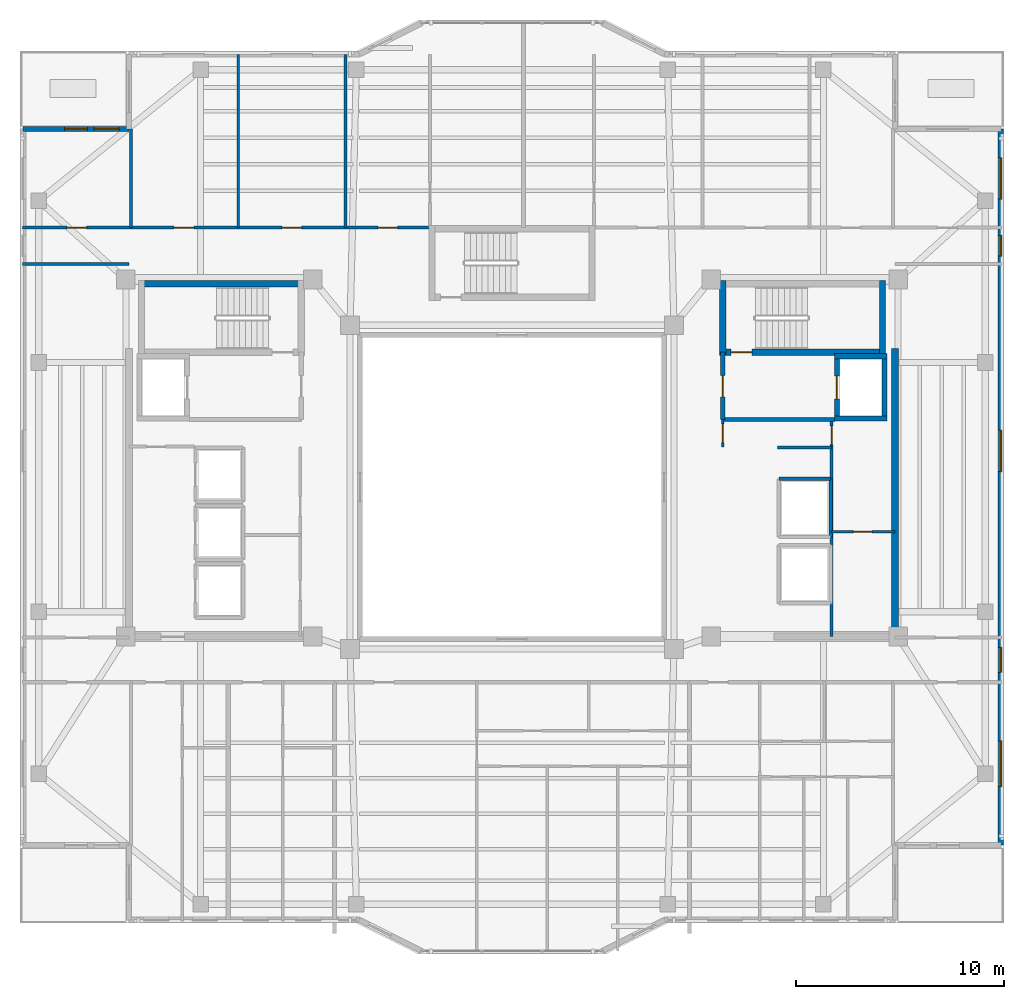
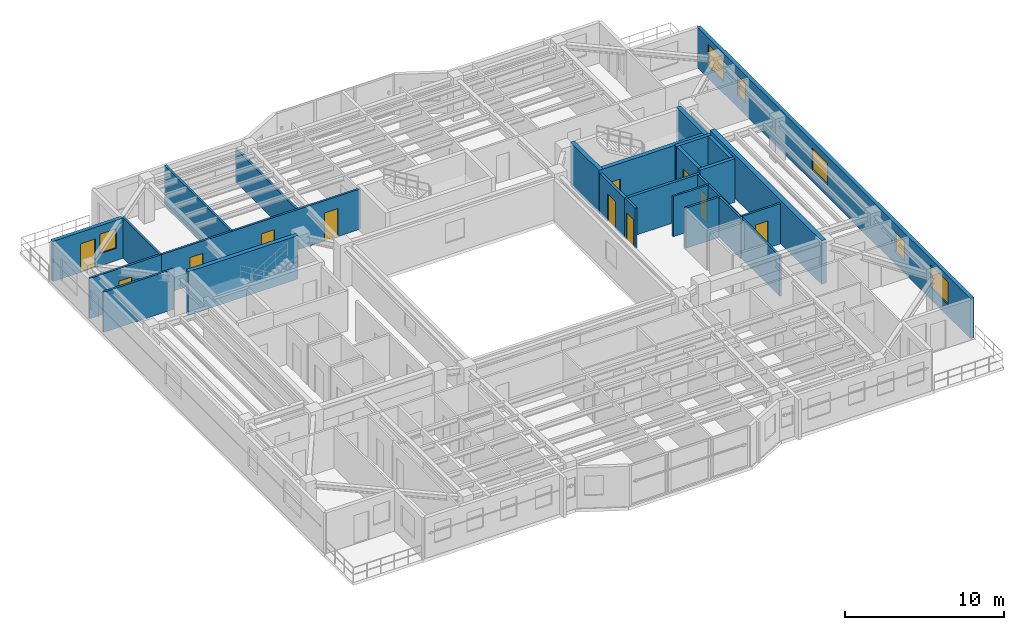
# One storey, part 9 of 15: 25 walls, 11 doors, 6 windows, 17 openings.
"""IFC4 building model written with IfcOpenShell, lengths in metres."""

from ifc_helpers import new_model, si_unit, direction, frame, frame_2d, origin, place, context, subcontext, project, spatial, rectangle, extrude, material, layer, layer_set, type_object, element, fill, save


model = new_model("IFC4")

# Units and contexts
model_context = context("Model", 3, precision=1e-05, world=origin(), true_north=direction((0.0, 1.0)))
body_context = subcontext(model_context, "Body", "Model", "MODEL_VIEW")
ifc_project = project(units=[si_unit("LENGTHUNIT", "METRE"), si_unit("AREAUNIT", "SQUARE_METRE"), si_unit("VOLUMEUNIT", "CUBIC_METRE"), si_unit("PLANEANGLEUNIT", "RADIAN"), si_unit("MASSUNIT", "GRAM", prefix="KILO")], contexts=[model_context])

# Site, building, storey
site_placement = place(None, origin())
site = spatial("IfcSite", under=ifc_project, at=site_placement, CompositionType="ELEMENT")
building_placement = place(site_placement, origin())
building = spatial("IfcBuilding", under=site, at=building_placement, Name="Tarnavaz Court Tower", CompositionType="ELEMENT")
storey_placement = place(building_placement, frame((0.0, 0.0, 186.89990234375)))
storey = spatial("IfcBuildingStorey", under=building, at=storey_placement, Name="L50", CompositionType="ELEMENT", Elevation=186.89990234375)

# Wall, opening, door
ifc_material_1 = material(Name="Concrete C50/60", Category="concrete")
ifc_layer_1 = layer(ifc_material_1, 0.25)
ifc_layer_set_1 = layer_set([ifc_layer_1], Name="Concrete C50/60")
wall_type_1 = type_object("IfcWallType", Name="WL-CORE-250-C50", PredefinedType="SHEAR", material=ifc_layer_set_1)
wall_1_placement = place(storey_placement, frame((15.64990234375, 3.175048828125, 0.0), z_axis=(0.0, 0.0, 1.0), x_axis=(0.0, 1.0, 0.0)))
wall_1 = element("IfcWall", 1, at=wall_1_placement, inside=storey, type_object=wall_type_1, Name="L50 Lift FL-E1 Shaft Wall 033", PredefinedType="SHEAR", context=body_context, shape_type="SweptSolid", body=[
    extrude(rectangle(XDim=3.25, YDim=0.25, at=frame_2d((1.625, 0.0))), origin(), (0.0, 0.0, 1.0), 3.35009765625),
])
opening_1_placement = place(wall_1_placement, frame((1.074951171875, 0.0, 0.0)))
opening_1 = element("IfcOpeningElement", 2, at=opening_1_placement, cuts=wall_1, Name="Opening LD1", PredefinedType="OPENING", context=body_context, shape_type="SweptSolid", body=[
    extrude(rectangle(XDim=1.10009765625, YDim=2.14990234375, at=frame_2d((0.550048828125, 1.074951171875))), frame((0.0, 0.135009765625, 0.0), z_axis=(0.0, -1.0, 0.0), x_axis=(1.0, 0.0, 0.0)), (0.0, 0.0, 1.0), 0.27001953125),
])
ifc_material_2 = material(Name="Stainless Steel", Category="steel")
door_type_1 = type_object("IfcDoorType", Name="DR-LD-1100", OperationType="NOTDEFINED", PredefinedType="DOOR", material=ifc_material_2)
door_1_placement = place(opening_1_placement, origin())
door_1 = element("IfcDoor", 3, at=door_1_placement, inside=storey, type_object=door_type_1, Name="L50 Lift Landing Door LD-FL-E1", OperationType="SLIDING_TO_LEFT", OverallHeight=2.14990234375, OverallWidth=1.10009765625, PredefinedType="DOOR", context=body_context, shape_type="SweptSolid", body=[
    extrude(rectangle(XDim=1.10009765625, YDim=2.14990234375, at=frame_2d((0.550048828125, 1.074951171875))), frame((0.0, 0.02490234375, 0.0), z_axis=(0.0, -1.0, 0.0), x_axis=(1.0, 0.0, 0.0)), (0.0, 0.0, 1.0), 0.050048828125),
])
fill(opening_1, door_1)

# Walls
wall_2_placement = place(storey_placement, frame((17.949951171875, 3.175048828125, 0.0), z_axis=(0.0, 0.0, 1.0), x_axis=(0.0, 1.0, 0.0)))
element("IfcWall", 4, at=wall_2_placement, inside=storey, type_object=wall_type_1, Name="L50 Lift FL-E1 Shaft Wall 034", PredefinedType="SHEAR", context=body_context, shape_type="SweptSolid", body=[
    extrude(rectangle(XDim=3.25, YDim=0.25, at=frame_2d((1.625, 0.0))), origin(), (0.0, 0.0, 1.0), 3.35009765625),
])
for number, where, z_axis, x_axis, name in (
    (5, (15.52490234375, 3.300048828125, 0.0), (0.0, 0.0, 1.0), (1.0, 0.0, 0.0), "L50 Lift FL-E1 Shaft Wall 035"),
    (6, (15.52490234375, 6.300048828125, 0.0), (0.0, 0.0, 1.0), (1.0, 0.0, 0.0), "L50 Lift FL-E1 Shaft Wall 036"),
):
    element("IfcWall", number, at=place(storey_placement, frame(where, z_axis=z_axis, x_axis=x_axis)), inside=storey, type_object=wall_type_1, Name=name, PredefinedType="SHEAR", context=body_context, shape_type="SweptSolid", body=[
        extrude(rectangle(XDim=2.550048828125, YDim=0.25, at=frame_2d((1.27490234375, 0.0))), origin(), (0.0, 0.0, 1.0), 3.35009765625),
    ])
ifc_layer_2 = layer(ifc_material_1, 0.300048828125)
ifc_layer_set_2 = layer_set([ifc_layer_2], Name="Concrete C50/60")
wall_type_2 = type_object("IfcWallType", Name="WL-CORE-300-C50", PredefinedType="SHEAR", material=ifc_layer_set_2)
wall_3_placement = place(storey_placement, frame((-18.0, 9.7900390625, 0.0), z_axis=(0.0, 0.0, 1.0), x_axis=(1.0, 0.0, 0.0)))
element("IfcWall", 7, at=wall_3_placement, inside=storey, type_object=wall_type_2, Name="L50 West Stair Core Wall 001", PredefinedType="SHEAR", context=body_context, shape_type="SweptSolid", body=[
    extrude(rectangle(XDim=8.0, YDim=0.300048828125, at=frame_2d((4.0, 0.0))), origin(), (0.0, 0.0, 1.0), 3.35009765625),
])

# Wall, opening, door
wall_4_placement = place(storey_placement, frame((10.0, 6.5, 0.0), z_axis=(0.0, 0.0, 1.0), x_axis=(1.0, 0.0, 0.0)))
wall_4 = element("IfcWall", 8, at=wall_4_placement, inside=storey, type_object=wall_type_2, Name="L50 East Stair Core Wall 006", PredefinedType="SHEAR", context=body_context, shape_type="SweptSolid", body=[
    extrude(rectangle(XDim=8.0, YDim=0.300048828125, at=frame_2d((4.0, 0.0))), origin(), (0.0, 0.0, 1.0), 3.35009765625),
])
opening_2_placement = place(wall_4_placement, frame((0.550048828125, 0.0, 0.0)))
opening_2 = element("IfcOpeningElement", 9, at=opening_2_placement, cuts=wall_4, Name="Opening D01", PredefinedType="OPENING", context=body_context, shape_type="SweptSolid", body=[
    extrude(rectangle(XDim=1.0, YDim=2.14990234375, at=frame_2d((0.5, 1.074951171875))), frame((0.0, 0.159912109375, 0.0), z_axis=(0.0, -1.0, 0.0), x_axis=(1.0, 0.0, 0.0)), (0.0, 0.0, 1.0), 0.320068359375),
])
ifc_material_3 = material(Name="Fire-Rated Hardwood Timber Core", Category="wood")
door_type_2 = type_object("IfcDoorType", Name="DR-FD90-1000", OperationType="NOTDEFINED", PredefinedType="DOOR", material=ifc_material_3)
door_2_placement = place(opening_2_placement, origin())
door_2 = element("IfcDoor", 10, at=door_2_placement, inside=storey, type_object=door_type_2, Name="L50 Stair ST-E1 Exit Door", OperationType="SINGLE_SWING_RIGHT", OverallHeight=2.14990234375, OverallWidth=1.0, PredefinedType="DOOR", context=body_context, shape_type="SweptSolid", body=[
    extrude(rectangle(XDim=1.0, YDim=2.14990234375, at=frame_2d((0.5, 1.074951171875))), frame((0.0, 0.02490234375, 0.0), z_axis=(0.0, -1.0, 0.0), x_axis=(1.0, 0.0, 0.0)), (0.0, 0.0, 1.0), 0.050048828125),
])
fill(opening_2, door_2)

# Walls
for number, where, z_axis, x_axis, name in (
    (11, (10.14990234375, 6.35009765625, 0.0), (0.0, 0.0, 1.0), (0.0, 1.0, 0.0), "L50 East Stair Core Wall 007"),
    (12, (17.85009765625, 6.35009765625, 0.0), (0.0, 0.0, 1.0), (0.0, 1.0, 0.0), "L50 East Stair Core Wall 008"),
):
    element("IfcWall", number, at=place(storey_placement, frame(where, z_axis=z_axis, x_axis=x_axis)), inside=storey, type_object=wall_type_2, Name=name, PredefinedType="SHEAR", context=body_context, shape_type="SweptSolid", body=[
        extrude(rectangle(XDim=3.58984375, YDim=0.300048828125, at=frame_2d((1.794921875, 0.0))), origin(), (0.0, 0.0, 1.0), 3.35009765625),
    ])
ifc_layer_3 = layer(ifc_material_1, 0.35009765625)
ifc_layer_set_3 = layer_set([ifc_layer_3], Name="Concrete C50/60")
wall_type_3 = type_object("IfcWallType", Name="WL-CORE-350-C50", PredefinedType="SHEAR", material=ifc_layer_set_3)
wall_5_placement = place(storey_placement, frame((18.449951171875, -7.375, 0.0), z_axis=(0.0, 0.0, 1.0), x_axis=(0.0, 1.0, 0.0)))
element("IfcWall", 13, at=wall_5_placement, inside=storey, type_object=wall_type_3, Name="L50 East Core Shear Wall 047", PredefinedType="SHEAR", context=body_context, shape_type="SweptSolid", body=[
    extrude(rectangle(XDim=14.050048828125, YDim=0.35009765625, at=frame_2d((7.02490234375, 0.0))), origin(), (0.0, 0.0, 1.0), 3.35009765625),
])

# Wall, openings, door, window
ifc_material_4 = material(Name="Precast Concrete C40/50", Category="concrete")
ifc_layer_4 = layer(ifc_material_4, 0.260009765625)
ifc_layer_set_4 = layer_set([ifc_layer_4], Name="Precast Concrete C40/50")
wall_type_4 = type_object("IfcWallType", Name="WL-EXT-260", PredefinedType="SOLIDWALL", material=ifc_layer_set_4)
wall_6_placement = place(storey_placement, frame((-23.550048828125, 17.25, 0.0), z_axis=(0.0, 0.0, 1.0), x_axis=(1.0, 0.0, 0.0)))
wall_6 = element("IfcWall", 14, at=wall_6_placement, inside=storey, type_object=wall_type_4, Name="L50 Exterior Terracotta Facade Wall 03", PredefinedType="SOLIDWALL", context=body_context, shape_type="SweptSolid", body=[
    extrude(rectangle(XDim=5.10009765625, YDim=0.260009765625, at=frame_2d((2.550048828125, 0.0))), origin(), (0.0, 0.0, 1.0), 3.10009765625),
])
opening_3_placement = place(wall_6_placement, frame((2.0, 0.0, 0.0)))
opening_3 = element("IfcOpeningElement", 15, at=opening_3_placement, cuts=wall_6, Name="Opening TD1", PredefinedType="OPENING", context=body_context, shape_type="SweptSolid", body=[
    extrude(rectangle(XDim=1.10009765625, YDim=2.199951171875, at=frame_2d((0.550048828125, 1.10009765625))), frame((0.0, 0.139892578125, 0.0), z_axis=(0.0, -1.0, 0.0), x_axis=(1.0, 0.0, 0.0)), (0.0, 0.0, 1.0), 0.280029296875),
])
opening_4_placement = place(wall_6_placement, frame((3.419921875, 0.0, 0.949951171875)))
opening_4 = element("IfcOpeningElement", 16, at=opening_4_placement, cuts=wall_6, Name="Opening W05", PredefinedType="OPENING", context=body_context, shape_type="SweptSolid", body=[
    extrude(rectangle(XDim=1.199951171875, YDim=1.5, at=frame_2d((0.60009765625, 0.75))), frame((0.0, 0.139892578125, 0.0), z_axis=(0.0, -1.0, 0.0), x_axis=(1.0, 0.0, 0.0)), (0.0, 0.0, 1.0), 0.280029296875),
])
ifc_material_5 = material(Name="Thermally Broken Aluminium and Laminated Glass", Category="aluminium")
door_type_3 = type_object("IfcDoorType", Name="DR-TERR-1100", OperationType="NOTDEFINED", PredefinedType="DOOR", material=ifc_material_5)
door_3_placement = place(opening_3_placement, origin())
door_3 = element("IfcDoor", 17, at=door_3_placement, inside=storey, type_object=door_type_3, Name="L50 Sky Terrace Access Door 2", OperationType="SINGLE_SWING_RIGHT", OverallHeight=2.199951171875, OverallWidth=1.10009765625, PredefinedType="DOOR", context=body_context, shape_type="SweptSolid", body=[
    extrude(rectangle(XDim=1.10009765625, YDim=2.199951171875, at=frame_2d((0.550048828125, 1.10009765625))), frame((0.0, 0.02490234375, 0.0), z_axis=(0.0, -1.0, 0.0), x_axis=(1.0, 0.0, 0.0)), (0.0, 0.0, 1.0), 0.050048828125),
])
fill(opening_3, door_3)
ifc_material_6 = material(Name="Double-Glazed Solar Low-E Glass", Category="glass")
window_type_1 = type_object("IfcWindowType", Name="WN-APT-1200", PartitioningType="SINGLE_PANEL", PredefinedType="WINDOW", material=ifc_material_6)
window_1_placement = place(opening_4_placement, origin())
window_1 = element("IfcWindow", 18, at=window_1_placement, inside=storey, type_object=window_type_1, Name="L50 North-West Corner Sunroom Study Window", OverallHeight=1.5, OverallWidth=1.199951171875, PartitioningType="SINGLE_PANEL", PredefinedType="WINDOW", context=body_context, shape_type="SweptSolid", body=[
    extrude(rectangle(XDim=1.199951171875, YDim=1.5, at=frame_2d((0.60009765625, 0.75))), frame((0.0, 0.030029296875, 0.0), z_axis=(0.0, -1.0, 0.0), x_axis=(1.0, 0.0, 0.0)), (0.0, 0.0, 1.0), 0.06005859375),
])
fill(opening_4, window_1)

# Wall, openings, windows
wall_7_placement = place(storey_placement, frame((23.550048828125, 17.25, 0.0), z_axis=(0.0, 0.0, 1.0), x_axis=(0.0, -1.0, 0.0)))
wall_7 = element("IfcWall", 19, at=wall_7_placement, inside=storey, type_object=wall_type_4, Name="L50 Exterior Terracotta Facade Wall 12", PredefinedType="SOLIDWALL", context=body_context, shape_type="SweptSolid", body=[
    extrude(rectangle(XDim=34.5, YDim=0.260009765625, at=frame_2d((17.25, 0.0))), origin(), (0.0, 0.0, 1.0), 3.10009765625),
])
opening_5_placement = place(wall_7_placement, frame((1.375, 0.0, 0.89990234375)))
opening_5 = element("IfcOpeningElement", 20, at=opening_5_placement, cuts=wall_7, Name="Opening W08", PredefinedType="OPENING", context=body_context, shape_type="SweptSolid", body=[
    extrude(rectangle(XDim=2.0, YDim=1.699951171875, at=frame_2d((1.0, 0.85009765625))), frame((0.0, 0.139892578125, 0.0), z_axis=(0.0, -1.0, 0.0), x_axis=(1.0, 0.0, 0.0)), (0.0, 0.0, 1.0), 0.280029296875),
])
opening_6_placement = place(wall_7_placement, frame((5.125, 0.0, 0.949951171875)))
opening_6 = element("IfcOpeningElement", 21, at=opening_6_placement, cuts=wall_7, Name="Opening W14", PredefinedType="OPENING", context=body_context, shape_type="SweptSolid", body=[
    extrude(rectangle(XDim=1.0, YDim=1.5, at=frame_2d((0.5, 0.75))), frame((0.0, 0.139892578125, 0.0), z_axis=(0.0, -1.0, 0.0), x_axis=(1.0, 0.0, 0.0)), (0.0, 0.0, 1.0), 0.280029296875),
])
opening_7_placement = place(wall_7_placement, frame((14.5, 0.0, 0.89990234375)))
opening_7 = element("IfcOpeningElement", 22, at=opening_7_placement, cuts=wall_7, Name="Opening W08", PredefinedType="OPENING", context=body_context, shape_type="SweptSolid", body=[
    extrude(rectangle(XDim=2.0, YDim=1.699951171875, at=frame_2d((1.0, 0.85009765625))), frame((0.0, 0.139892578125, 0.0), z_axis=(0.0, -1.0, 0.0), x_axis=(1.0, 0.0, 0.0)), (0.0, 0.0, 1.0), 0.280029296875),
])
opening_8_placement = place(wall_7_placement, frame((24.97509765625, 0.0, 0.949951171875)))
opening_8 = element("IfcOpeningElement", 23, at=opening_8_placement, cuts=wall_7, Name="Opening W05", PredefinedType="OPENING", context=body_context, shape_type="SweptSolid", body=[
    extrude(rectangle(XDim=1.199951171875, YDim=1.5, at=frame_2d((0.60009765625, 0.75))), frame((0.0, 0.139892578125, 0.0), z_axis=(0.0, -1.0, 0.0), x_axis=(1.0, 0.0, 0.0)), (0.0, 0.0, 1.0), 0.280029296875),
])
opening_9_placement = place(wall_7_placement, frame((29.47509765625, 0.0, 0.89990234375)))
opening_9 = element("IfcOpeningElement", 24, at=opening_9_placement, cuts=wall_7, Name="Opening W07", PredefinedType="OPENING", context=body_context, shape_type="SweptSolid", body=[
    extrude(rectangle(XDim=2.199951171875, YDim=1.75, at=frame_2d((1.10009765625, 0.875))), frame((0.0, 0.139892578125, 0.0), z_axis=(0.0, -1.0, 0.0), x_axis=(1.0, 0.0, 0.0)), (0.0, 0.0, 1.0), 0.280029296875),
])
window_type_2 = type_object("IfcWindowType", Name="WN-APT-1000", PartitioningType="SINGLE_PANEL", PredefinedType="WINDOW", material=ifc_material_6)
window_2_placement = place(opening_6_placement, origin())
window_2 = element("IfcWindow", 25, at=window_2_placement, inside=storey, type_object=window_type_2, Name="L50 North-East Corner Corridor Window", OverallHeight=1.5, OverallWidth=1.0, PartitioningType="SINGLE_PANEL", PredefinedType="WINDOW", context=body_context, shape_type="SweptSolid", body=[
    extrude(rectangle(XDim=1.0, YDim=1.5, at=frame_2d((0.5, 0.75))), frame((0.0, 0.030029296875, 0.0), z_axis=(0.0, -1.0, 0.0), x_axis=(1.0, 0.0, 0.0)), (0.0, 0.0, 1.0), 0.06005859375),
])
fill(opening_6, window_2)
window_3_placement = place(opening_8_placement, origin())
window_3 = element("IfcWindow", 26, at=window_3_placement, inside=storey, type_object=window_type_1, Name="L50 South-East Corner Corridor Window", OverallHeight=1.5, OverallWidth=1.199951171875, PartitioningType="SINGLE_PANEL", PredefinedType="WINDOW", context=body_context, shape_type="SweptSolid", body=[
    extrude(rectangle(XDim=1.199951171875, YDim=1.5, at=frame_2d((0.60009765625, 0.75))), frame((0.0, 0.030029296875, 0.0), z_axis=(0.0, -1.0, 0.0), x_axis=(1.0, 0.0, 0.0)), (0.0, 0.0, 1.0), 0.06005859375),
])
fill(opening_8, window_3)
window_type_3 = type_object("IfcWindowType", Name="WN-APT-2000", PartitioningType="DOUBLE_PANEL_VERTICAL", PredefinedType="WINDOW", material=ifc_material_6)
window_4_placement = place(opening_5_placement, origin())
window_4 = element("IfcWindow", 27, at=window_4_placement, inside=storey, type_object=window_type_3, Name="L50 North-East Corner Sunroom Study Window", OverallHeight=1.699951171875, OverallWidth=2.0, PartitioningType="SINGLE_PANEL", PredefinedType="WINDOW", context=body_context, shape_type="SweptSolid", body=[
    extrude(rectangle(XDim=2.0, YDim=1.699951171875, at=frame_2d((1.0, 0.85009765625))), frame((0.0, 0.030029296875, 0.0), z_axis=(0.0, -1.0, 0.0), x_axis=(1.0, 0.0, 0.0)), (0.0, 0.0, 1.0), 0.06005859375),
])
fill(opening_5, window_4)
window_5_placement = place(opening_7_placement, origin())
window_5 = element("IfcWindow", 28, at=window_5_placement, inside=storey, type_object=window_type_3, Name="L50 East Wing Daycare Playroom Window", OverallHeight=1.699951171875, OverallWidth=2.0, PartitioningType="SINGLE_PANEL", PredefinedType="WINDOW", context=body_context, shape_type="SweptSolid", body=[
    extrude(rectangle(XDim=2.0, YDim=1.699951171875, at=frame_2d((1.0, 0.85009765625))), frame((0.0, 0.030029296875, 0.0), z_axis=(0.0, -1.0, 0.0), x_axis=(1.0, 0.0, 0.0)), (0.0, 0.0, 1.0), 0.06005859375),
])
fill(opening_7, window_5)
window_type_4 = type_object("IfcWindowType", Name="WN-APT-2200", PartitioningType="TRIPLE_PANEL_VERTICAL", PredefinedType="WINDOW", material=ifc_material_6)
window_6_placement = place(opening_9_placement, origin())
window_6 = element("IfcWindow", 29, at=window_6_placement, inside=storey, type_object=window_type_4, Name="L50 South-East Corner Reading Room Window", OverallHeight=1.75, OverallWidth=2.199951171875, PartitioningType="SINGLE_PANEL", PredefinedType="WINDOW", context=body_context, shape_type="SweptSolid", body=[
    extrude(rectangle(XDim=2.199951171875, YDim=1.75, at=frame_2d((1.10009765625, 0.875))), frame((0.0, 0.030029296875, 0.0), z_axis=(0.0, -1.0, 0.0), x_axis=(1.0, 0.0, 0.0)), (0.0, 0.0, 1.0), 0.06005859375),
])
fill(opening_9, window_6)

# Wall, openings, doors
ifc_material_7 = material(Name="Gypsum Fire-Board on Acoustic Metal Stud", Category="masonry")
ifc_layer_5 = layer(ifc_material_7, 0.14990234375)
ifc_layer_set_5 = layer_set([ifc_layer_5], Name="Gypsum Fire-Board on Acoustic Metal Stud")
wall_type_5 = type_object("IfcWallType", Name="WL-FIRE-150", PredefinedType="PARTITIONING", material=ifc_layer_set_5)
wall_8_placement = place(storey_placement, frame((-18.35009765625, 12.5, 0.0), z_axis=(0.0, 0.0, 1.0), x_axis=(1.0, 0.0, 0.0)))
wall_8 = element("IfcWall", 30, at=wall_8_placement, inside=storey, type_object=wall_type_5, Name="L50 NW Wing Corridor Wall 056", PredefinedType="PARTITIONING", context=body_context, shape_type="SweptSolid", body=[
    extrude(rectangle(XDim=14.5, YDim=0.14990234375, at=frame_2d((7.25, 0.0))), origin(), (0.0, 0.0, 1.0), 3.10009765625),
])
opening_10_placement = place(wall_8_placement, frame((2.075927734375, 0.0, 0.0)))
opening_10 = element("IfcOpeningElement", 31, at=opening_10_placement, cuts=wall_8, Name="Opening D13", PredefinedType="OPENING", context=body_context, shape_type="SweptSolid", body=[
    extrude(rectangle(XDim=0.949951171875, YDim=2.14990234375, at=frame_2d((0.47509765625, 1.074951171875))), frame((0.0, 0.0849609375, 0.0), z_axis=(0.0, -1.0, 0.0), x_axis=(1.0, 0.0, 0.0)), (0.0, 0.0, 1.0), 0.169921875),
])
opening_11_placement = place(wall_8_placement, frame((7.26904296875, 0.0, 0.0)))
opening_11 = element("IfcOpeningElement", 32, at=opening_11_placement, cuts=wall_8, Name="Opening D13", PredefinedType="OPENING", context=body_context, shape_type="SweptSolid", body=[
    extrude(rectangle(XDim=0.949951171875, YDim=2.14990234375, at=frame_2d((0.47509765625, 1.074951171875))), frame((0.0, 0.0849609375, 0.0), z_axis=(0.0, -1.0, 0.0), x_axis=(1.0, 0.0, 0.0)), (0.0, 0.0, 1.0), 0.169921875),
])
opening_12_placement = place(wall_8_placement, frame((11.887939453125, 0.0, 0.0)))
opening_12 = element("IfcOpeningElement", 33, at=opening_12_placement, cuts=wall_8, Name="Opening D13", PredefinedType="OPENING", context=body_context, shape_type="SweptSolid", body=[
    extrude(rectangle(XDim=0.949951171875, YDim=2.14990234375, at=frame_2d((0.47509765625, 1.074951171875))), frame((0.0, 0.0849609375, 0.0), z_axis=(0.0, -1.0, 0.0), x_axis=(1.0, 0.0, 0.0)), (0.0, 0.0, 1.0), 0.169921875),
])
ifc_material_8 = material(Name="Engineered Oak Timber", Category="wood")
door_type_4 = type_object("IfcDoorType", Name="DR-INT-950", OperationType="NOTDEFINED", PredefinedType="DOOR", material=ifc_material_8)
door_4_placement = place(opening_10_placement, origin())
door_4 = element("IfcDoor", 34, at=door_4_placement, inside=storey, type_object=door_type_4, Name="L50 Resident Fitness and Yoga Studio Door", OperationType="SINGLE_SWING_RIGHT", OverallHeight=2.14990234375, OverallWidth=0.949951171875, PredefinedType="DOOR", context=body_context, shape_type="SweptSolid", body=[
    extrude(rectangle(XDim=0.949951171875, YDim=2.14990234375, at=frame_2d((0.47509765625, 1.074951171875))), frame((0.0, 0.02490234375, 0.0), z_axis=(0.0, -1.0, 0.0), x_axis=(1.0, 0.0, 0.0)), (0.0, 0.0, 1.0), 0.050048828125),
])
fill(opening_10, door_4)
door_5_placement = place(opening_11_placement, origin())
door_5 = element("IfcDoor", 35, at=door_5_placement, inside=storey, type_object=door_type_4, Name="L50 Children Playroom and Daycare Door", OperationType="SINGLE_SWING_LEFT", OverallHeight=2.14990234375, OverallWidth=0.949951171875, PredefinedType="DOOR", context=body_context, shape_type="SweptSolid", body=[
    extrude(rectangle(XDim=0.949951171875, YDim=2.14990234375, at=frame_2d((0.47509765625, 1.074951171875))), frame((0.0, 0.02490234375, 0.0), z_axis=(0.0, -1.0, 0.0), x_axis=(1.0, 0.0, 0.0)), (0.0, 0.0, 1.0), 0.050048828125),
])
fill(opening_11, door_5)
door_6_placement = place(opening_12_placement, origin())
door_6 = element("IfcDoor", 36, at=door_6_placement, inside=storey, type_object=door_type_4, Name="L50 Shared Community Tea Pantry Door", OperationType="SINGLE_SWING_RIGHT", OverallHeight=2.14990234375, OverallWidth=0.949951171875, PredefinedType="DOOR", context=body_context, shape_type="SweptSolid", body=[
    extrude(rectangle(XDim=0.949951171875, YDim=2.14990234375, at=frame_2d((0.47509765625, 1.074951171875))), frame((0.0, 0.02490234375, 0.0), z_axis=(0.0, -1.0, 0.0), x_axis=(1.0, 0.0, 0.0)), (0.0, 0.0, 1.0), 0.050048828125),
])
fill(opening_12, door_6)

# Wall
wall_9_placement = place(storey_placement, frame((-23.580078125, 10.75, 0.0), z_axis=(0.0, 0.0, 1.0), x_axis=(1.0, 0.0, 0.0)))
element("IfcWall", 37, at=wall_9_placement, inside=storey, type_object=wall_type_5, Name="L50 Interior Partition 092", PredefinedType="PARTITIONING", context=body_context, shape_type="SweptSolid", body=[
    extrude(rectangle(XDim=5.130126953125, YDim=0.14990234375, at=frame_2d((2.56494140625, 0.0))), origin(), (0.0, 0.0, 1.0), 3.10009765625),
])

# Wall, opening, door
wall_10_placement = place(storey_placement, frame((-23.580078125, 12.5, 0.0), z_axis=(0.0, 0.0, 1.0), x_axis=(1.0, 0.0, 0.0)))
wall_10 = element("IfcWall", 38, at=wall_10_placement, inside=storey, type_object=wall_type_5, Name="L50 Interior Partition 099", PredefinedType="PARTITIONING", context=body_context, shape_type="SweptSolid", body=[
    extrude(rectangle(XDim=5.22998046875, YDim=0.14990234375, at=frame_2d((2.614990234375, 0.0))), origin(), (0.0, 0.0, 1.0), 3.10009765625),
])
opening_13_placement = place(wall_10_placement, frame((2.139892578125, 0.0, 0.0)))
opening_13 = element("IfcOpeningElement", 39, at=opening_13_placement, cuts=wall_10, Name="Opening D13", PredefinedType="OPENING", context=body_context, shape_type="SweptSolid", body=[
    extrude(rectangle(XDim=0.949951171875, YDim=2.14990234375, at=frame_2d((0.47509765625, 1.074951171875))), frame((0.0, 0.0849609375, 0.0), z_axis=(0.0, -1.0, 0.0), x_axis=(1.0, 0.0, 0.0)), (0.0, 0.0, 1.0), 0.169921875),
])
door_7_placement = place(opening_13_placement, origin())
door_7 = element("IfcDoor", 40, at=door_7_placement, inside=storey, type_object=door_type_4, Name="L50 NW Sunroom Door", OperationType="SINGLE_SWING_RIGHT", OverallHeight=2.14990234375, OverallWidth=0.949951171875, PredefinedType="DOOR", context=body_context, shape_type="SweptSolid", body=[
    extrude(rectangle(XDim=0.949951171875, YDim=2.14990234375, at=frame_2d((0.47509765625, 1.074951171875))), frame((0.0, 0.02490234375, 0.0), z_axis=(0.0, -1.0, 0.0), x_axis=(1.0, 0.0, 0.0)), (0.0, 0.0, 1.0), 0.050048828125),
])
fill(opening_13, door_7)

# Wall
ifc_material_9 = material(Name="Autoclaved Aerated Concrete Blockwork", Category="masonry")
ifc_layer_6 = layer(ifc_material_9, 0.199951171875)
ifc_layer_set_6 = layer_set([ifc_layer_6], Name="Autoclaved Aerated Concrete Blockwork")
wall_type_6 = type_object("IfcWallType", Name="WL-FIRE-200", PredefinedType="SOLIDWALL", material=ifc_layer_set_6)
wall_11_placement = place(storey_placement, frame((10.14990234375, 3.25, 0.0), z_axis=(0.0, 0.0, 1.0), x_axis=(1.0, 0.0, 0.0)))
element("IfcWall", 41, at=wall_11_placement, inside=storey, type_object=wall_type_6, Name="L50 East Firefighting Lobby Wall 015", PredefinedType="SOLIDWALL", context=body_context, shape_type="SweptSolid", body=[
    extrude(rectangle(XDim=5.400146484375, YDim=0.199951171875, at=frame_2d((2.7001953125, 0.0))), origin(), (0.0, 0.0, 1.0), 3.10009765625),
])

# Wall, opening, door
wall_12_placement = place(storey_placement, frame((10.14990234375, 3.25, 0.0), z_axis=(0.0, 0.0, 1.0), x_axis=(0.0, 1.0, 0.0)))
wall_12 = element("IfcWall", 42, at=wall_12_placement, inside=storey, type_object=wall_type_6, Name="L50 East Firefighting Lobby Wall 016", PredefinedType="SOLIDWALL", context=body_context, shape_type="SweptSolid", body=[
    extrude(rectangle(XDim=3.25, YDim=0.199951171875, at=frame_2d((1.625, 0.0))), origin(), (0.0, 0.0, 1.0), 3.10009765625),
])
opening_14_placement = place(wall_12_placement, frame((1.10009765625, 0.0, 0.0)))
opening_14 = element("IfcOpeningElement", 43, at=opening_14_placement, cuts=wall_12, Name="Opening D05", PredefinedType="OPENING", context=body_context, shape_type="SweptSolid", body=[
    extrude(rectangle(XDim=1.02001953125, YDim=2.14990234375, at=frame_2d((0.510009765625, 1.074951171875))), frame((0.0, 0.10986328125, 0.0), z_axis=(0.0, -1.0, 0.0), x_axis=(1.0, 0.0, 0.0)), (0.0, 0.0, 1.0), 0.219970703125),
])
door_type_5 = type_object("IfcDoorType", Name="DR-FD60-1000", OperationType="NOTDEFINED", PredefinedType="DOOR", material=ifc_material_3)
door_8_placement = place(opening_14_placement, origin())
door_8 = element("IfcDoor", 44, at=door_8_placement, inside=storey, type_object=door_type_5, Name="L50 East Firefighting Lobby Door", OperationType="SINGLE_SWING_LEFT", OverallHeight=2.14990234375, OverallWidth=1.02001953125, PredefinedType="DOOR", context=body_context, shape_type="SweptSolid", body=[
    extrude(rectangle(XDim=1.02001953125, YDim=2.14990234375, at=frame_2d((0.510009765625, 1.074951171875))), frame((0.0, 0.02490234375, 0.0), z_axis=(0.0, -1.0, 0.0), x_axis=(1.0, 0.0, 0.0)), (0.0, 0.0, 1.0), 0.050048828125),
])
fill(opening_14, door_8)

# Wall
ifc_material_10 = material(Name="Gypsum Plasterboard Acoustic Partition", Category="masonry")
ifc_layer_7 = layer(ifc_material_10, 0.139892578125)
ifc_layer_set_7 = layer_set([ifc_layer_7], Name="Gypsum Plasterboard Acoustic Partition")
wall_type_7 = type_object("IfcWallType", Name="WL-PART-150", PredefinedType="PARTITIONING", material=ifc_layer_set_7)
wall_13_placement = place(storey_placement, frame((12.800048828125, 1.89990234375, 0.0), z_axis=(0.0, 0.0, 1.0), x_axis=(1.0, 0.0, 0.0)))
element("IfcWall", 45, at=wall_13_placement, inside=storey, type_object=wall_type_7, Name="L50 Interior Partition 052", PredefinedType="PARTITIONING", context=body_context, shape_type="SweptSolid", body=[
    extrude(rectangle(XDim=2.599853515625, YDim=0.139892578125, at=frame_2d((1.2998046875, 0.0))), origin(), (0.0, 0.0, 1.0), 3.10009765625),
])

# Wall, opening, door
wall_14_placement = place(storey_placement, frame((10.14990234375, 1.919921875, 0.0), z_axis=(0.0, 0.0, 1.0), x_axis=(0.0, 1.0, 0.0)))
wall_14 = element("IfcWall", 46, at=wall_14_placement, inside=storey, type_object=wall_type_7, Name="L50 Interior Partition 053", PredefinedType="PARTITIONING", context=body_context, shape_type="SweptSolid", body=[
    extrude(rectangle(XDim=1.330078125, YDim=0.139892578125, at=frame_2d((0.6650390625, 0.0))), origin(), (0.0, 0.0, 1.0), 3.10009765625),
])
opening_15_placement = place(wall_14_placement, frame((0.219970703125, 0.0, 0.0)))
opening_15 = element("IfcOpeningElement", 47, at=opening_15_placement, cuts=wall_14, Name="Opening D09", PredefinedType="OPENING", context=body_context, shape_type="SweptSolid", body=[
    extrude(rectangle(XDim=0.89990234375, YDim=2.080078125, at=frame_2d((0.449951171875, 1.0400390625))), frame((0.0, 0.079833984375, 0.0), z_axis=(0.0, -1.0, 0.0), x_axis=(1.0, 0.0, 0.0)), (0.0, 0.0, 1.0), 0.159912109375),
])
door_type_6 = type_object("IfcDoorType", Name="DR-FD30-900", OperationType="NOTDEFINED", PredefinedType="DOOR", material=ifc_material_3)
door_9_placement = place(opening_15_placement, origin())
door_9 = element("IfcDoor", 48, at=door_9_placement, inside=storey, type_object=door_type_6, Name="L50 East Core Service Lobby Door", OperationType="SINGLE_SWING_LEFT", OverallHeight=2.080078125, OverallWidth=0.89990234375, PredefinedType="DOOR", context=body_context, shape_type="SweptSolid", body=[
    extrude(rectangle(XDim=0.89990234375, YDim=2.080078125, at=frame_2d((0.449951171875, 1.0400390625))), frame((0.0, 0.02490234375, 0.0), z_axis=(0.0, -1.0, 0.0), x_axis=(1.0, 0.0, 0.0)), (0.0, 0.0, 1.0), 0.050048828125),
])
fill(opening_15, door_9)

wall_15_placement = place(storey_placement, frame((15.39990234375, -7.199951171875, 0.0), z_axis=(0.0, 0.0, 1.0), x_axis=(0.0, 1.0, 0.0)))
wall_15 = element("IfcWall", 49, at=wall_15_placement, inside=storey, type_object=wall_type_7, Name="L50 Interior Partition 054", PredefinedType="PARTITIONING", context=body_context, shape_type="SweptSolid", body=[
    extrude(rectangle(XDim=10.449951171875, YDim=0.139892578125, at=frame_2d((5.22509765625, 0.0))), origin(), (0.0, 0.0, 1.0), 3.10009765625),
])
opening_16_placement = place(wall_15_placement, frame((9.25, 0.0, 0.0)))
opening_16 = element("IfcOpeningElement", 50, at=opening_16_placement, cuts=wall_15, Name="Opening D09", PredefinedType="OPENING", context=body_context, shape_type="SweptSolid", body=[
    extrude(rectangle(XDim=0.89990234375, YDim=2.080078125, at=frame_2d((0.449951171875, 1.0400390625))), frame((0.0, 0.079833984375, 0.0), z_axis=(0.0, -1.0, 0.0), x_axis=(1.0, 0.0, 0.0)), (0.0, 0.0, 1.0), 0.159912109375),
])
door_10_placement = place(opening_16_placement, origin())
door_10 = element("IfcDoor", 51, at=door_10_placement, inside=storey, type_object=door_type_6, Name="L50 East Wet Riser Door", OperationType="SINGLE_SWING_RIGHT", OverallHeight=2.080078125, OverallWidth=0.89990234375, PredefinedType="DOOR", context=body_context, shape_type="SweptSolid", body=[
    extrude(rectangle(XDim=0.89990234375, YDim=2.080078125, at=frame_2d((0.449951171875, 1.0400390625))), frame((0.0, 0.02490234375, 0.0), z_axis=(0.0, -1.0, 0.0), x_axis=(1.0, 0.0, 0.0)), (0.0, 0.0, 1.0), 0.050048828125),
])
fill(opening_16, door_10)

wall_16_placement = place(storey_placement, frame((15.39990234375, -2.14990234375, 0.0), z_axis=(0.0, 0.0, 1.0), x_axis=(1.0, 0.0, 0.0)))
wall_16 = element("IfcWall", 52, at=wall_16_placement, inside=storey, type_object=wall_type_7, Name="L50 Interior Partition 055", PredefinedType="PARTITIONING", context=body_context, shape_type="SweptSolid", body=[
    extrude(rectangle(XDim=3.050048828125, YDim=0.139892578125, at=frame_2d((1.52490234375, 0.0))), origin(), (0.0, 0.0, 1.0), 3.10009765625),
])
opening_17_placement = place(wall_16_placement, frame((1.050048828125, 0.0, 0.0)))
opening_17 = element("IfcOpeningElement", 53, at=opening_17_placement, cuts=wall_16, Name="Opening D09", PredefinedType="OPENING", context=body_context, shape_type="SweptSolid", body=[
    extrude(rectangle(XDim=0.89990234375, YDim=2.080078125, at=frame_2d((0.449951171875, 1.0400390625))), frame((0.0, 0.079833984375, 0.0), z_axis=(0.0, -1.0, 0.0), x_axis=(1.0, 0.0, 0.0)), (0.0, 0.0, 1.0), 0.159912109375),
])
door_11_placement = place(opening_17_placement, origin())
door_11 = element("IfcDoor", 54, at=door_11_placement, inside=storey, type_object=door_type_6, Name="L50 East Electrical Plant Door", OperationType="SINGLE_SWING_LEFT", OverallHeight=2.080078125, OverallWidth=0.89990234375, PredefinedType="DOOR", context=body_context, shape_type="SweptSolid", body=[
    extrude(rectangle(XDim=0.89990234375, YDim=2.080078125, at=frame_2d((0.449951171875, 1.0400390625))), frame((0.0, 0.02490234375, 0.0), z_axis=(0.0, -1.0, 0.0), x_axis=(1.0, 0.0, 0.0)), (0.0, 0.0, 1.0), 0.050048828125),
])
fill(opening_17, door_11)

# Walls
wall_17_placement = place(storey_placement, frame((-13.18798828125, 12.5, 0.0), z_axis=(0.0, 0.0, 1.0), x_axis=(0.0, 1.0, 0.0)))
element("IfcWall", 55, at=wall_17_placement, inside=storey, type_object=wall_type_7, Name="L50 Interior Partition 062", PredefinedType="PARTITIONING", context=body_context, shape_type="SweptSolid", body=[
    extrude(rectangle(XDim=8.35009765625, YDim=0.139892578125, at=frame_2d((4.175048828125, 0.0))), origin(), (0.0, 0.0, 1.0), 3.10009765625),
])
wall_18_placement = place(storey_placement, frame((-8.02490234375, 12.5, 0.0), z_axis=(0.0, 0.0, 1.0), x_axis=(0.0, 1.0, 0.0)))
element("IfcWall", 56, at=wall_18_placement, inside=storey, type_object=wall_type_7, Name="L50 Interior Partition 063", PredefinedType="PARTITIONING", context=body_context, shape_type="SweptSolid", body=[
    extrude(rectangle(XDim=8.35009765625, YDim=0.139892578125, at=frame_2d((4.175048828125, 0.0))), origin(), (0.0, 0.0, 1.0), 2.585205078125),
])
wall_19_placement = place(storey_placement, frame((-18.35009765625, 12.5, 0.0), z_axis=(0.0, 0.0, 1.0), x_axis=(0.0, 1.0, 0.0)))
element("IfcWall", 57, at=wall_19_placement, inside=storey, type_object=wall_type_7, Name="L50 Interior Partition 097", PredefinedType="PARTITIONING", context=body_context, shape_type="SweptSolid", body=[
    extrude(rectangle(XDim=4.75, YDim=0.139892578125, at=frame_2d((2.375, 0.0))), origin(), (0.0, 0.0, 1.0), 3.10009765625),
])
ifc_layer_8 = layer(ifc_material_9, 0.159912109375)
ifc_layer_set_8 = layer_set([ifc_layer_8], Name="Autoclaved Aerated Concrete Blockwork")
wall_type_8 = type_object("IfcWallType", Name="WL-SHAFT-150", PredefinedType="SOLIDWALL", material=ifc_layer_set_8)
wall_20_placement = place(storey_placement, frame((15.35009765625, -2.39990234375, 0.0), z_axis=(0.0, 0.0, 1.0), x_axis=(0.0, 1.0, 0.0)))
element("IfcWall", 58, at=wall_20_placement, inside=storey, type_object=wall_type_8, Name="L50 Lift PL-OB2 Shaft Wall 042", PredefinedType="SOLIDWALL", context=body_context, shape_type="SweptSolid", body=[
    extrude(rectangle(XDim=2.7998046875, YDim=0.159912109375, at=frame_2d((1.39990234375, 0.0))), origin(), (0.0, 0.0, 1.0), 3.10009765625),
])
wall_21_placement = place(storey_placement, frame((12.85009765625, 0.39990234375, 0.0), z_axis=(0.0, 0.0, 1.0), x_axis=(1.0, 0.0, 0.0)))
element("IfcWall", 59, at=wall_21_placement, inside=storey, type_object=wall_type_8, Name="L50 Lift PL-OB2 Shaft Wall 044", PredefinedType="SOLIDWALL", context=body_context, shape_type="SweptSolid", body=[
    extrude(rectangle(XDim=2.5, YDim=0.159912109375, at=frame_2d((1.25, 0.0))), origin(), (0.0, 0.0, 1.0), 3.10009765625),
])

save(model, "model.ifc")
